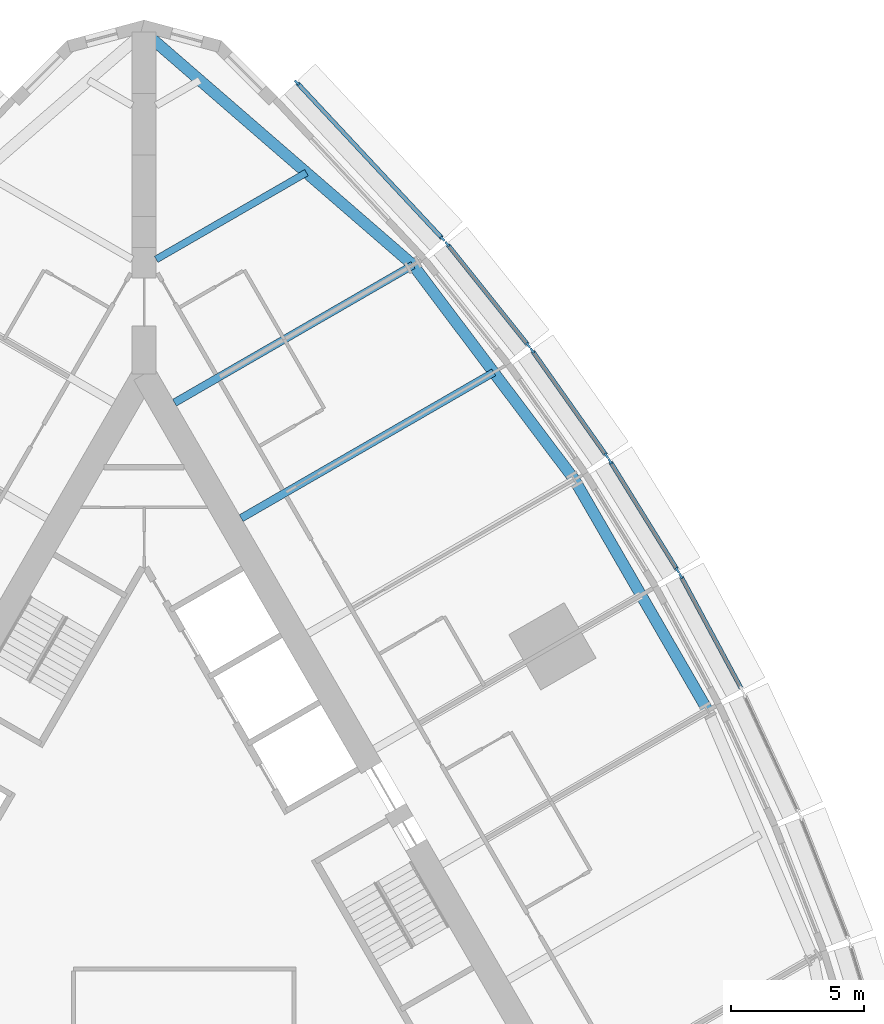
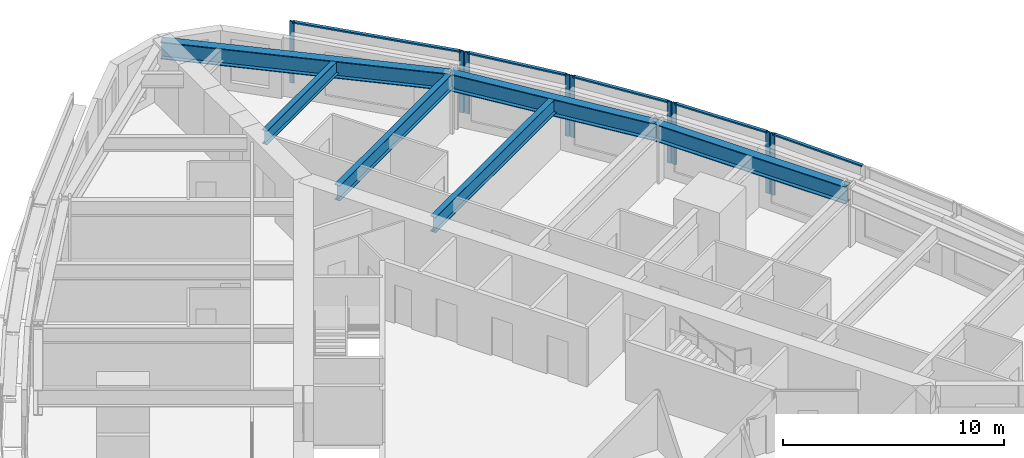
# One storey, part 5 of 14: 14 members, 6 beams, 5 elements without a shape of their own.
"""IFC4 building model written with IfcOpenShell, lengths in metres."""

import ifcopenshell
import ifcopenshell.guid

model = None  # the IFC model being written
_history = None  # IfcOwnerHistory: only IFC2X3 demands one
_inside = {}  # id of a spatial element -> (the spatial element, [elements in it])
_under = {}  # id of a project, library or spatial element -> (it, [spatial elements below it])
_declared = {}  # id of a project -> (the project, [libraries it declares])
_typed = {}  # id of a type object -> (the type object, [elements of that type])
_made_of = {}  # id of a material, layer set ... -> (it, [elements and type objects made of it])


def new_model(schema):
    """Start an empty IFC model of exactly this schema.

    Asked for "IFC4X3", IfcOpenShell would pick the latest addendum, in which some entities
    have other attributes; the version numbers below select the first issue.
    IFC2X3 requires an IfcOwnerHistory on every rooted entity: one is made here for all.
    """
    global model, _history
    if schema == "IFC4X3":
        model = ifcopenshell.file(schema_version=(4, 3, 0, 0))
    else:
        model = ifcopenshell.file(schema=schema)
    _inside.clear()
    _under.clear()
    _declared.clear()
    _typed.clear()
    _made_of.clear()
    _history = None
    if model.schema == "IFC2X3":
        org = make("IfcOrganization", Name="unknown")
        user = make(
            "IfcPersonAndOrganization",
            ThePerson=make("IfcPerson", FamilyName="unknown"),
            TheOrganization=org,
        )
        app = make(
            "IfcApplication",
            ApplicationDeveloper=org,
            Version="unknown",
            ApplicationFullName="unknown",
            ApplicationIdentifier="unknown",
        )
        _history = make(
            "IfcOwnerHistory",
            OwningUser=user,
            OwningApplication=app,
            ChangeAction="ADDED",
            CreationDate=0,
        )
    return model


def make(cls, **values):
    """One entity of the class cls with the attributes given. An attribute that is None is left unset."""
    return model.create_entity(
        cls, **{name: value for name, value in values.items() if value is not None}
    )


def rooted(cls, **values):
    """An entity with a GlobalId (a new one), such as an element, a storey or a relation."""
    return make(cls, GlobalId=ifcopenshell.guid.new(), OwnerHistory=_history, **values)


def si_unit(unit_type, name, prefix=None):
    """IfcSIUnit, for example si_unit("LENGTHUNIT", "METRE", prefix="MILLI")."""
    return make("IfcSIUnit", UnitType=unit_type, Prefix=prefix, Name=name)


def assignment(units):
    """IfcUnitAssignment: the units of a project."""
    return None if units is None else make("IfcUnitAssignment", Units=units)


def point(xyz):
    """IfcCartesianPoint."""
    return None if xyz is None else make("IfcCartesianPoint", Coordinates=xyz)


def direction(xyz):
    """IfcDirection."""
    return None if xyz is None else make("IfcDirection", DirectionRatios=xyz)


def frame(location, z_axis=None, x_axis=None):
    """IfcAxis2Placement3D, a coordinate frame: its origin and axes. An axis left out is left unset."""
    return make(
        "IfcAxis2Placement3D",
        Location=point(location),
        Axis=direction(z_axis),
        RefDirection=direction(x_axis),
    )


def frame_2d(location, x_axis=None):
    """IfcAxis2Placement2D, a coordinate frame in the plane: its origin and x axis."""
    return make(
        "IfcAxis2Placement2D", Location=point(location), RefDirection=direction(x_axis)
    )


def origin():
    """The frame at (0, 0, 0) with its axes left unset."""
    return frame((0.0, 0.0, 0.0))


def origin_2d():
    """The frame at (0, 0) in the plane with its x axis left unset."""
    return frame_2d((0.0, 0.0))


def place(relative_to, where):
    """IfcLocalPlacement: puts the frame where relative to a parent placement (None: the world)."""
    return make(
        "IfcLocalPlacement", PlacementRelTo=relative_to, RelativePlacement=where
    )


def context(
    kind, dimensions, precision=None, world=None, true_north=None, identifier=None
):
    """IfcGeometricRepresentationContext, for example the 3D "Model" context."""
    return make(
        "IfcGeometricRepresentationContext",
        ContextIdentifier=identifier,
        ContextType=kind,
        CoordinateSpaceDimension=dimensions,
        Precision=precision,
        WorldCoordinateSystem=world,
        TrueNorth=true_north,
    )


def subcontext(parent, identifier, kind, view, scale=None):
    """IfcGeometricRepresentationSubContext, for example "Body" below "Model"."""
    return make(
        "IfcGeometricRepresentationSubContext",
        ContextIdentifier=identifier,
        ContextType=kind,
        ParentContext=parent,
        TargetScale=scale,
        TargetView=view,
    )


def project(units=None, contexts=None):
    """IfcProject with its units and contexts."""
    return rooted(
        "IfcProject",
        Name="project",
        RepresentationContexts=contexts,
        UnitsInContext=assignment(units),
    )


def spatial(cls, under=None, at=None, **own):
    """A site, building, storey or space (cls), placed at a placement, below another one or the project."""
    s = rooted(cls, ObjectPlacement=at, **own)
    if under is not None:
        _under.setdefault(under.id(), (under, []))[1].append(s)
    return s


def profile(cls, at=None, kind="AREA", **sizes):
    """A parametric profile (cls). Its sizes go by their IFC names, for example OverallWidth=200.0."""
    return make(cls, ProfileType=kind, Position=at, **sizes)


def rectangle(**sizes):
    """IfcRectangleProfileDef."""
    return profile("IfcRectangleProfileDef", **sizes)


def i_section(**sizes):
    """IfcIShapeProfileDef."""
    return profile("IfcIShapeProfileDef", **sizes)


def extrude(swept, where, along, depth):
    """IfcExtrudedAreaSolid: the profile swept, set in the frame where, extruded along a direction by depth."""
    return make(
        "IfcExtrudedAreaSolid",
        SweptArea=swept,
        Position=where,
        ExtrudedDirection=direction(along),
        Depth=depth,
    )


def shape(context_of_items, identifier, shape_type, items):
    """IfcShapeRepresentation: the items that make up one representation, for example the "Body"."""
    return make(
        "IfcShapeRepresentation",
        ContextOfItems=context_of_items,
        RepresentationIdentifier=identifier,
        RepresentationType=shape_type,
        Items=items,
    )


def material(Name=None, Category=None):
    """IfcMaterial."""
    return make("IfcMaterial", Name=Name, Category=Category)


def material_profile(
    of_material, cross_section, Name=None, Category=None, Priority=None
):
    """IfcMaterialProfile: a cross section and its material."""
    return make(
        "IfcMaterialProfile",
        Name=Name,
        Material=of_material,
        Profile=cross_section,
        Priority=Priority,
        Category=Category,
    )


def profile_set(profiles, Name=None, composite=None):
    """IfcMaterialProfileSet."""
    return make(
        "IfcMaterialProfileSet",
        Name=Name,
        MaterialProfiles=profiles,
        CompositeProfile=composite,
    )


def made_of(thing, what):
    """Note that an element or type object is made of a material, layer set ...; save() writes the relation."""
    if what is not None:
        _made_of.setdefault(what.id(), (what, []))[1].append(thing)
    return thing


def type_object(cls, material=None, **own):
    """A type object (cls), such as IfcWallType, which elements share."""
    return made_of(rooted(cls, **own), material)


def element(
    cls,
    number,
    at=None,
    inside=None,
    cuts=None,
    type_object=None,
    material=None,
    context=None,
    identifier="Body",
    shape_type=None,
    held_by="IfcProductDefinitionShape",
    body=None,
    shapes=None,
    **own,
):
    """One element of the class cls, such as IfcWall. Its Tag is "e" and its number.

    at: its placement. inside: the storey or other place that contains it. cuts: it is an
    opening in that element (IfcRelVoidsElement). A single representation is given by context,
    identifier, shape_type and body (its items); several are given by shapes. held_by: the class
    of the entity that holds the representations. save() writes the other relations.
    """
    e = rooted(cls, Tag="e%d" % number, ObjectPlacement=at, **own)
    if body is not None:
        shapes = [shape(context, identifier, shape_type, body)]
    if shapes is not None:
        e.Representation = make(held_by, Representations=shapes)
    if inside is not None:
        _inside.setdefault(inside.id(), (inside, []))[1].append(e)
    if cuts is not None:
        rooted(
            "IfcRelVoidsElement", RelatingBuildingElement=cuts, RelatedOpeningElement=e
        )
    if type_object is not None:
        _typed.setdefault(type_object.id(), (type_object, []))[1].append(e)
    return made_of(e, material)


def aggregate(whole, parts):
    """IfcRelAggregates: a whole, such as a stair, and the parts it consists of."""
    return rooted("IfcRelAggregates", RelatingObject=whole, RelatedObjects=parts)


def save(model, path):
    """Write the relations noted so far, then the file.

    IfcRelAggregates (storeys below a building ...), IfcRelContainedInSpatialStructure (elements
    in a storey), IfcRelDefinesByType, IfcRelAssociatesMaterial and IfcRelDeclares: one each for
    every whole, place, type object, material and project.
    """
    for whole, parts in _under.values():
        aggregate(whole, parts)
    for where, things in _inside.values():
        rooted(
            "IfcRelContainedInSpatialStructure",
            RelatedElements=things,
            RelatingStructure=where,
        )
    for kind, things in _typed.values():
        rooted("IfcRelDefinesByType", RelatedObjects=things, RelatingType=kind)
    for what, things in _made_of.values():
        rooted("IfcRelAssociatesMaterial", RelatedObjects=things, RelatingMaterial=what)
    for by, libraries in _declared.values():
        rooted("IfcRelDeclares", RelatingContext=by, RelatedDefinitions=libraries)
    model.write(path)


model = new_model("IFC4")

# Units and contexts
model_context = context("Model", 3, precision=1e-05, world=origin(), true_north=direction((0.0, 1.0)))
body_context = subcontext(model_context, "Body", "Model", "MODEL_VIEW")
ifc_project = project(units=[si_unit("LENGTHUNIT", "METRE"), si_unit("AREAUNIT", "SQUARE_METRE"), si_unit("VOLUMEUNIT", "CUBIC_METRE"), si_unit("PLANEANGLEUNIT", "RADIAN"), si_unit("MASSUNIT", "GRAM", prefix="KILO")], contexts=[model_context])

# Site, building, storey
site_placement = place(None, origin())
site = spatial("IfcSite", under=ifc_project, at=site_placement, CompositionType="ELEMENT")
building_placement = place(site_placement, origin())
building = spatial("IfcBuilding", under=site, at=building_placement, Name="Trikona Tower", CompositionType="ELEMENT")
storey_placement = place(building_placement, frame((0.0, 0.0, 93.10009765625)))
storey = spatial("IfcBuildingStorey", under=building, at=storey_placement, Name="L24", CompositionType="ELEMENT", Elevation=93.10009765625)

# Curtain wall, member
ifc_material_1 = material(Name="Aluminium curtain wall system", Category="aluminium")
curtain_wall_type = type_object("IfcCurtainWallType", Name="Curtain wall DS1", PredefinedType="NOTDEFINED", material=ifc_material_1)
curtain_wall_1_placement = place(storey_placement, origin())
curtain_wall_1 = element("IfcCurtainWall", 1, at=curtain_wall_1_placement, inside=storey, type_object=curtain_wall_type, Name="Curtain wall DS1 L24", PredefinedType="NOTDEFINED")
ifc_material_2 = material(Name="Aluminium mullion, pale anodised", Category="aluminium")
ifc_material_profile_1 = material_profile(ifc_material_2, rectangle(XDim=0.080078125, YDim=0.219970703125, at=origin_2d()), Name="MUL-DS1")
ifc_profile_set_1 = profile_set([ifc_material_profile_1], Name="Aluminium mullion, pale anodised")
member_type_1 = type_object("IfcMemberType", Name="Mullion DS1 80x220", PredefinedType="MULLION", material=ifc_profile_set_1)
member_1_placement = place(storey_placement, frame((20.128662109375, 11.474365234375, 0.0), z_axis=(0.0, 0.0, 1.0), x_axis=(-0.880843080975, -0.473408350896, 0.0)))
member_1 = element("IfcMember", 2, at=member_1_placement, type_object=member_type_1, Name="CW-DS1 mullion 2", PredefinedType="MULLION", context=body_context, shape_type="SweptSolid", body=[
    extrude(rectangle(XDim=0.080078125, YDim=0.219970703125, at=origin_2d()), origin(), (0.0, 0.0, 1.0), 3.39990234375),
])

# Curtain wall, members
curtain_wall_2_placement = place(storey_placement, origin())
curtain_wall_2 = element("IfcCurtainWall", 3, at=curtain_wall_2_placement, inside=storey, type_object=curtain_wall_type, Name="Curtain wall DS1 L24", PredefinedType="NOTDEFINED")
member_2_placement = place(storey_placement, frame((20.00146484375, 11.69482421875, 0.0), z_axis=(0.0, 0.0, 1.0), x_axis=(-0.850410468941, -0.526119790842, 0.0)))
member_2 = element("IfcMember", 4, at=member_2_placement, type_object=member_type_1, Name="CW-DS1 mullion 1", PredefinedType="MULLION", context=body_context, shape_type="SweptSolid", body=[
    extrude(rectangle(XDim=0.080078125, YDim=0.219970703125, at=origin_2d()), origin(), (0.0, 0.0, 1.0), 3.39990234375),
])
member_3_placement = place(storey_placement, frame((17.474853515625, 15.77880859375, 0.0), z_axis=(0.0, 0.0, 1.0), x_axis=(-0.850410468941, -0.526119790842, 0.0)))
member_3 = element("IfcMember", 5, at=member_3_placement, type_object=member_type_1, Name="CW-DS1 mullion 2", PredefinedType="MULLION", context=body_context, shape_type="SweptSolid", body=[
    extrude(rectangle(XDim=0.080078125, YDim=0.219970703125, at=origin_2d()), origin(), (0.0, 0.0, 1.0), 3.39990234375),
])

curtain_wall_3_placement = place(storey_placement, origin())
curtain_wall_3 = element("IfcCurtainWall", 6, at=curtain_wall_3_placement, inside=storey, type_object=curtain_wall_type, Name="Curtain wall DS1 L24", PredefinedType="NOTDEFINED")
member_4_placement = place(storey_placement, frame((17.33447265625, 15.990966796875, 0.0), z_axis=(0.0, 0.0, 1.0), x_axis=(-0.816985393055, -0.576658362928, 0.0)))
member_4 = element("IfcMember", 7, at=member_4_placement, type_object=member_type_1, Name="CW-DS1 mullion 1", PredefinedType="MULLION", context=body_context, shape_type="SweptSolid", body=[
    extrude(rectangle(XDim=0.080078125, YDim=0.219970703125, at=origin_2d()), origin(), (0.0, 0.0, 1.0), 3.39990234375),
])
member_5_placement = place(storey_placement, frame((14.554443359375, 19.929443359375, 0.0), z_axis=(0.0, 0.0, 1.0), x_axis=(-0.816985393055, -0.576658362928, 0.0)))
member_5 = element("IfcMember", 8, at=member_5_placement, type_object=member_type_1, Name="CW-DS1 mullion 2", PredefinedType="MULLION", context=body_context, shape_type="SweptSolid", body=[
    extrude(rectangle(XDim=0.080078125, YDim=0.219970703125, at=origin_2d()), origin(), (0.0, 0.0, 1.0), 3.39990234375),
])

curtain_wall_4_placement = place(storey_placement, origin())
curtain_wall_4 = element("IfcCurtainWall", 9, at=curtain_wall_4_placement, inside=storey, type_object=curtain_wall_type, Name="Curtain wall DS1 L24", PredefinedType="NOTDEFINED")
member_6_placement = place(storey_placement, frame((14.40185546875, 20.13232421875, 0.0), z_axis=(0.0, 0.0, 1.0), x_axis=(-0.780937959679, -0.624608599951, 0.0)))
member_6 = element("IfcMember", 10, at=member_6_placement, type_object=member_type_1, Name="CW-DS1 mullion 1", PredefinedType="MULLION", context=body_context, shape_type="SweptSolid", body=[
    extrude(rectangle(XDim=0.080078125, YDim=0.219970703125, at=origin_2d()), origin(), (0.0, 0.0, 1.0), 3.39990234375),
])
member_7_placement = place(storey_placement, frame((11.36767578125, 23.926025390625, 0.0), z_axis=(0.0, 0.0, 1.0), x_axis=(-0.780937959679, -0.624608599951, 0.0)))
member_7 = element("IfcMember", 11, at=member_7_placement, type_object=member_type_1, Name="CW-DS1 mullion 2", PredefinedType="MULLION", context=body_context, shape_type="SweptSolid", body=[
    extrude(rectangle(XDim=0.080078125, YDim=0.219970703125, at=origin_2d()), origin(), (0.0, 0.0, 1.0), 3.39990234375),
])

curtain_wall_5_placement = place(storey_placement, origin())
curtain_wall_5 = element("IfcCurtainWall", 12, at=curtain_wall_5_placement, inside=storey, type_object=curtain_wall_type, Name="Curtain wall DS1 L24", PredefinedType="NOTDEFINED")
member_8_placement = place(storey_placement, frame((11.192138671875, 24.129150390625, 0.0), z_axis=(0.0, 0.0, 1.0), x_axis=(-0.731076639405, -0.682295351967, 0.0)))
member_8 = element("IfcMember", 13, at=member_8_placement, type_object=member_type_1, Name="CW-DS1 mullion 1", PredefinedType="MULLION", context=body_context, shape_type="SweptSolid", body=[
    extrude(rectangle(XDim=0.080078125, YDim=0.219970703125, at=origin_2d()), origin(), (0.0, 0.0, 1.0), 3.39990234375),
])
member_9_placement = place(storey_placement, frame((5.72607421875, 29.98583984375, 0.0), z_axis=(0.0, 0.0, 1.0), x_axis=(-0.731076639405, -0.682295351967, 0.0)))
member_9 = element("IfcMember", 14, at=member_9_placement, type_object=member_type_1, Name="CW-DS1 mullion 2", PredefinedType="MULLION", context=body_context, shape_type="SweptSolid", body=[
    extrude(rectangle(XDim=0.080078125, YDim=0.219970703125, at=origin_2d()), origin(), (0.0, 0.0, 1.0), 3.39990234375),
])

# Beams
ifc_material_3 = material(Name="Steel ASTM A992 Grade 50", Category="steel")
ifc_material_profile_2 = material_profile(ifc_material_3, i_section(OverallWidth=0.2666015625, OverallDepth=0.76953125, WebThickness=0.015625, FlangeThickness=0.025390625, at=origin_2d()), Name="W30X132")
ifc_profile_set_2 = profile_set([ifc_material_profile_2], Name="Steel ASTM A992 Grade 50")
beam_type_1 = type_object("IfcBeamType", Name="Steel beam W30x132 (wedge)", PredefinedType="BEAM", material=ifc_profile_set_2)
beam_1_placement = place(storey_placement, frame((0.449951171875, 23.353759765625, 2.85009765625), z_axis=(0.866022504693, 0.50000502134, 0.0), x_axis=(-0.50000502134, 0.866022504693, 0.0)))
element("IfcBeam", 15, at=beam_1_placement, inside=storey, type_object=beam_type_1, Name="Floor beam L25 F2 u20", PredefinedType="BEAM", context=body_context, shape_type="SweptSolid", body=[
    extrude(i_section(OverallWidth=0.2666015625, OverallDepth=0.76953125, WebThickness=0.015625, FlangeThickness=0.025390625, at=origin_2d()), origin(), (0.0, 0.0, 1.0), 6.5068359375),
])
ifc_material_4 = material(Name="Steel ASTM A992 Grade 50", Category="steel")
ifc_material_profile_3 = material_profile(ifc_material_4, i_section(OverallWidth=0.2919921875, OverallDepth=0.845703125, WebThickness=0.015380859375, FlangeThickness=0.0244140625, at=origin_2d()), Name="W33X141")
ifc_profile_set_3 = profile_set([ifc_material_profile_3], Name="Steel ASTM A992 Grade 50")
beam_type_2 = type_object("IfcBeamType", Name="Steel beam W33x141 (radial typ)", PredefinedType="BEAM", material=ifc_profile_set_3)
beam_2_placement = place(storey_placement, frame((3.6396484375, 13.6484375, 2.81201171875), z_axis=(0.866025348605, 0.500000095573, 0.0), x_axis=(-0.500000095573, 0.866025348605, 0.0)))
element("IfcBeam", 16, at=beam_2_placement, inside=storey, type_object=beam_type_2, Name="Floor beam L25 F2 u10", PredefinedType="BEAM", context=body_context, shape_type="SweptSolid", body=[
    extrude(i_section(OverallWidth=0.2919921875, OverallDepth=0.845703125, WebThickness=0.015380859375, FlangeThickness=0.0244140625, at=origin_2d()), origin(), (0.0, 0.0, 1.0), 10.935546875),
])
beam_3_placement = place(storey_placement, frame((1.1396484375, 17.978515625, 2.81201171875), z_axis=(0.866030471684, 0.499991222037, 0.0), x_axis=(-0.499991222037, 0.866030471684, 0.0)))
element("IfcBeam", 17, at=beam_3_placement, inside=storey, type_object=beam_type_2, Name="Floor beam L25 F2 u15", PredefinedType="BEAM", context=body_context, shape_type="SweptSolid", body=[
    extrude(i_section(OverallWidth=0.2919921875, OverallDepth=0.845703125, WebThickness=0.015380859375, FlangeThickness=0.0244140625, at=origin_2d()), origin(), (0.0, 0.0, 1.0), 10.326904296875),
])
ifc_material_5 = material(Name="Steel ASTM A992 Grade 50", Category="steel")
ifc_material_profile_4 = material_profile(ifc_material_5, i_section(OverallWidth=0.424072265625, OverallDepth=0.947509765625, WebThickness=0.02392578125, FlangeThickness=0.042724609375, at=origin_2d()), Name="W36X302")
ifc_profile_set_4 = profile_set([ifc_material_profile_4], Name="Steel ASTM A992 Grade 50")
beam_type_3 = type_object("IfcBeamType", Name="Steel beam W36x302 (spandrel)", PredefinedType="SPANDREL", material=ifc_profile_set_4)
beam_4_placement = place(storey_placement, frame((21.13720703125, 6.43017578125, 2.76123046875), z_axis=(-0.500004234368, 0.866022959057, 0.0), x_axis=(-0.866022959057, -0.500004234368, 0.0)))
element("IfcBeam", 18, at=beam_4_placement, inside=storey, type_object=beam_type_3, Name="Spandrel beam L25 F2-3", PredefinedType="SPANDREL", context=body_context, shape_type="SweptSolid", body=[
    extrude(i_section(OverallWidth=0.424072265625, OverallDepth=0.947509765625, WebThickness=0.02392578125, FlangeThickness=0.042724609375, at=origin_2d()), origin(), (0.0, 0.0, 1.0), 10.0),
])
beam_5_placement = place(storey_placement, frame((16.13720703125, 15.09033203125, 2.76123046875), z_axis=(-0.600988344191, 0.799257787042, 0.0), x_axis=(-0.799257787042, -0.600988344191, 0.0)))
element("IfcBeam", 19, at=beam_5_placement, inside=storey, type_object=beam_type_3, Name="Spandrel beam L25 F2-4", PredefinedType="SPANDREL", context=body_context, shape_type="SweptSolid", body=[
    extrude(i_section(OverallWidth=0.424072265625, OverallDepth=0.947509765625, WebThickness=0.02392578125, FlangeThickness=0.042724609375, at=origin_2d()), origin(), (0.0, 0.0, 1.0), 10.07373046875),
])
beam_6_placement = place(storey_placement, frame((10.0830078125, 23.141845703125, 2.76123046875), z_axis=(-0.755646822726, 0.654979296851, 0.0), x_axis=(-0.654979296851, -0.755646822726, 0.0)))
element("IfcBeam", 20, at=beam_6_placement, inside=storey, type_object=beam_type_3, Name="Spandrel beam L25 F2-5", PredefinedType="SPANDREL", context=body_context, shape_type="SweptSolid", body=[
    extrude(i_section(OverallWidth=0.424072265625, OverallDepth=0.947509765625, WebThickness=0.02392578125, FlangeThickness=0.042724609375, at=origin_2d()), origin(), (0.0, 0.0, 1.0), 13.343505859375),
])

# Member
ifc_material_6 = material(Name="Aluminium transom, pale anodised", Category="aluminium")
ifc_material_profile_5 = material_profile(ifc_material_6, rectangle(XDim=0.159912109375, YDim=0.080078125, at=origin_2d()), Name="TRN-DS1")
ifc_profile_set_5 = profile_set([ifc_material_profile_5], Name="Aluminium transom, pale anodised")
member_type_2 = type_object("IfcMemberType", Name="Transom DS1 80x160", PredefinedType="USERDEFINED", material=ifc_profile_set_5)
member_10_placement = place(storey_placement, frame((22.38330078125, 7.279541015625, 3.35986328125), z_axis=(-0.473427569755, 0.880832751546, 0.0), x_axis=(-0.880832751546, -0.473427569755, 0.0)))
member_10 = element("IfcMember", 21, at=member_10_placement, type_object=member_type_2, Name="CW-DS1 transom 1.1", ObjectType="TRANSOM", PredefinedType="USERDEFINED", context=body_context, shape_type="SweptSolid", body=[
    extrude(rectangle(XDim=0.159912109375, YDim=0.080078125, at=origin_2d()), origin(), (0.0, 0.0, 1.0), 4.72216796875),
])

aggregate(curtain_wall_1, [member_1, member_10])

member_11_placement = place(storey_placement, frame((19.980224609375, 11.728759765625, 3.35986328125), z_axis=(-0.526080502257, 0.850434774186, 0.0), x_axis=(-0.850434774186, -0.526080502257, 0.0)))
member_11 = element("IfcMember", 22, at=member_11_placement, type_object=member_type_2, Name="CW-DS1 transom 1.1", ObjectType="TRANSOM", PredefinedType="USERDEFINED", context=body_context, shape_type="SweptSolid", body=[
    extrude(rectangle(XDim=0.159912109375, YDim=0.080078125, at=origin_2d()), origin(), (0.0, 0.0, 1.0), 4.722412109375),
])

aggregate(curtain_wall_2, [member_2, member_3, member_11])

member_12_placement = place(storey_placement, frame((17.311279296875, 16.023681640625, 3.35986328125), z_axis=(-0.57664478015, 0.816994980111, 0.0), x_axis=(-0.816994980111, -0.57664478015, 0.0)))
member_12 = element("IfcMember", 23, at=member_12_placement, type_object=member_type_2, Name="CW-DS1 transom 1.1", ObjectType="TRANSOM", PredefinedType="USERDEFINED", context=body_context, shape_type="SweptSolid", body=[
    extrude(rectangle(XDim=0.159912109375, YDim=0.080078125, at=origin_2d()), origin(), (0.0, 0.0, 1.0), 4.740478515625),
])

aggregate(curtain_wall_3, [member_4, member_5, member_12])

member_13_placement = place(storey_placement, frame((14.376953125, 20.16357421875, 3.35986328125), z_axis=(-0.624589103832, 0.780953552636, 0.0), x_axis=(-0.780953552636, -0.624589103832, 0.0)))
member_13 = element("IfcMember", 24, at=member_13_placement, type_object=member_type_2, Name="CW-DS1 transom 1.1", ObjectType="TRANSOM", PredefinedType="USERDEFINED", context=body_context, shape_type="SweptSolid", body=[
    extrude(rectangle(XDim=0.159912109375, YDim=0.080078125, at=origin_2d()), origin(), (0.0, 0.0, 1.0), 4.77783203125),
])

aggregate(curtain_wall_4, [member_6, member_7, member_13])

member_14_placement = place(storey_placement, frame((11.164794921875, 24.158203125, 3.35986328125), z_axis=(-0.682290830921, 0.731080858758, 0.0), x_axis=(-0.731080858758, -0.682290830921, 0.0)))
member_14 = element("IfcMember", 25, at=member_14_placement, type_object=member_type_2, Name="CW-DS1 transom 1.1", ObjectType="TRANSOM", PredefinedType="USERDEFINED", context=body_context, shape_type="SweptSolid", body=[
    extrude(rectangle(XDim=0.159912109375, YDim=0.080078125, at=origin_2d()), origin(), (0.0, 0.0, 1.0), 7.93115234375),
])

aggregate(curtain_wall_5, [member_8, member_9, member_14])

save(model, "model.ifc")
